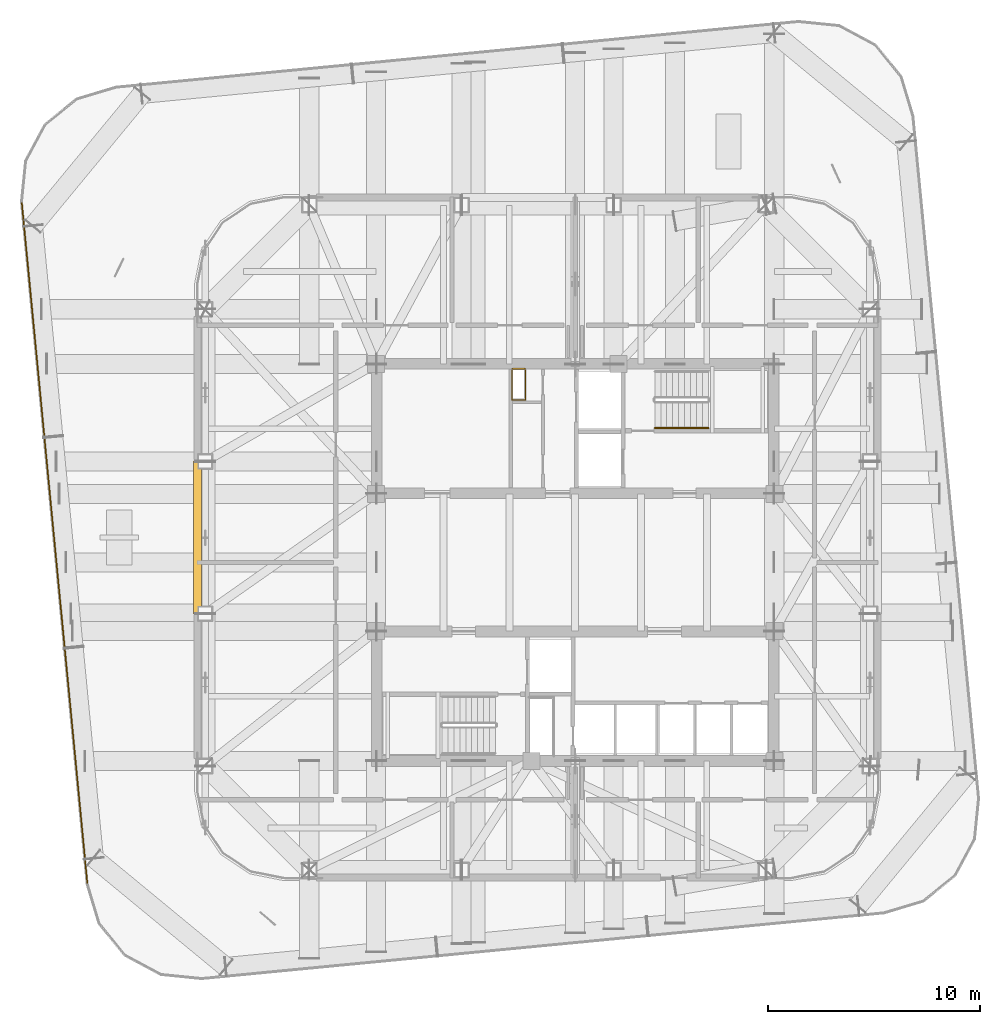
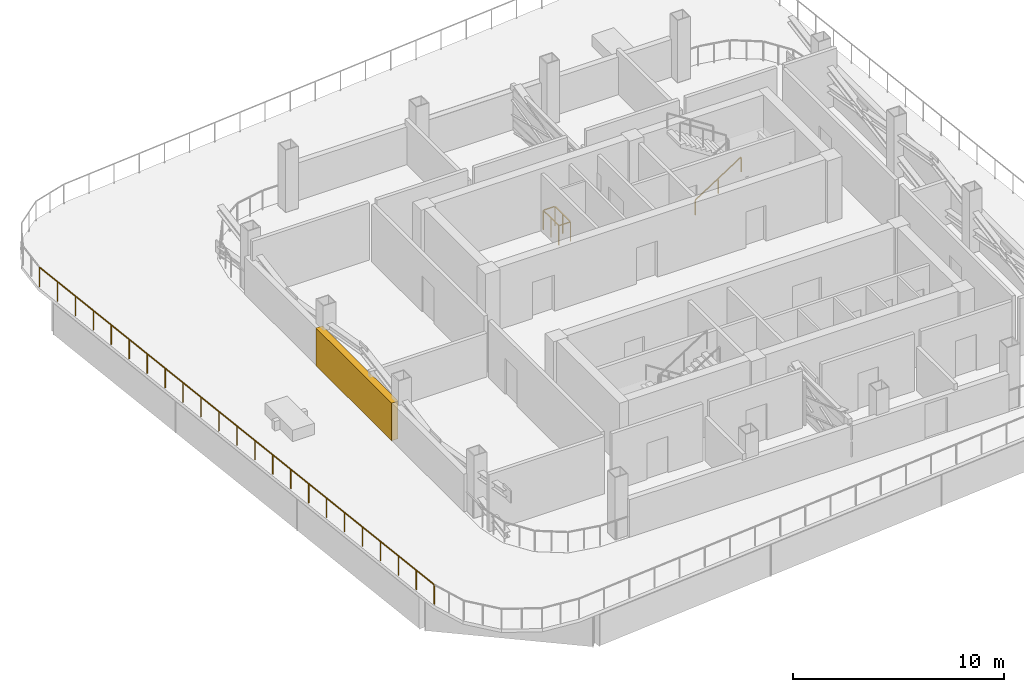
# One storey, part 10 of 12: 3 railings, 1 shading device.
"""IFC4 building model written with IfcOpenShell, lengths in metres."""

import ifcopenshell
import ifcopenshell.guid

model = None  # the IFC model being written
_history = None  # IfcOwnerHistory: only IFC2X3 demands one
_inside = {}  # id of a spatial element -> (the spatial element, [elements in it])
_under = {}  # id of a project, library or spatial element -> (it, [spatial elements below it])
_declared = {}  # id of a project -> (the project, [libraries it declares])
_typed = {}  # id of a type object -> (the type object, [elements of that type])
_made_of = {}  # id of a material, layer set ... -> (it, [elements and type objects made of it])


def new_model(schema):
    """Start an empty IFC model of exactly this schema.

    Asked for "IFC4X3", IfcOpenShell would pick the latest addendum, in which some entities
    have other attributes; the version numbers below select the first issue.
    IFC2X3 requires an IfcOwnerHistory on every rooted entity: one is made here for all.
    """
    global model, _history
    if schema == "IFC4X3":
        model = ifcopenshell.file(schema_version=(4, 3, 0, 0))
    else:
        model = ifcopenshell.file(schema=schema)
    _inside.clear()
    _under.clear()
    _declared.clear()
    _typed.clear()
    _made_of.clear()
    _history = None
    if model.schema == "IFC2X3":
        org = make("IfcOrganization", Name="unknown")
        user = make(
            "IfcPersonAndOrganization",
            ThePerson=make("IfcPerson", FamilyName="unknown"),
            TheOrganization=org,
        )
        app = make(
            "IfcApplication",
            ApplicationDeveloper=org,
            Version="unknown",
            ApplicationFullName="unknown",
            ApplicationIdentifier="unknown",
        )
        _history = make(
            "IfcOwnerHistory",
            OwningUser=user,
            OwningApplication=app,
            ChangeAction="ADDED",
            CreationDate=0,
        )
    return model


def make(cls, **values):
    """One entity of the class cls with the attributes given. An attribute that is None is left unset."""
    return model.create_entity(
        cls, **{name: value for name, value in values.items() if value is not None}
    )


def rooted(cls, **values):
    """An entity with a GlobalId (a new one), such as an element, a storey or a relation."""
    return make(cls, GlobalId=ifcopenshell.guid.new(), OwnerHistory=_history, **values)


def si_unit(unit_type, name, prefix=None):
    """IfcSIUnit, for example si_unit("LENGTHUNIT", "METRE", prefix="MILLI")."""
    return make("IfcSIUnit", UnitType=unit_type, Prefix=prefix, Name=name)


def assignment(units):
    """IfcUnitAssignment: the units of a project."""
    return None if units is None else make("IfcUnitAssignment", Units=units)


def point(xyz):
    """IfcCartesianPoint."""
    return None if xyz is None else make("IfcCartesianPoint", Coordinates=xyz)


def direction(xyz):
    """IfcDirection."""
    return None if xyz is None else make("IfcDirection", DirectionRatios=xyz)


def frame(location, z_axis=None, x_axis=None):
    """IfcAxis2Placement3D, a coordinate frame: its origin and axes. An axis left out is left unset."""
    return make(
        "IfcAxis2Placement3D",
        Location=point(location),
        Axis=direction(z_axis),
        RefDirection=direction(x_axis),
    )


def frame_2d(location, x_axis=None):
    """IfcAxis2Placement2D, a coordinate frame in the plane: its origin and x axis."""
    return make(
        "IfcAxis2Placement2D", Location=point(location), RefDirection=direction(x_axis)
    )


def origin():
    """The frame at (0, 0, 0) with its axes left unset."""
    return frame((0.0, 0.0, 0.0))


def origin_2d():
    """The frame at (0, 0) in the plane with its x axis left unset."""
    return frame_2d((0.0, 0.0))


def place(relative_to, where):
    """IfcLocalPlacement: puts the frame where relative to a parent placement (None: the world)."""
    return make(
        "IfcLocalPlacement", PlacementRelTo=relative_to, RelativePlacement=where
    )


def context(
    kind, dimensions, precision=None, world=None, true_north=None, identifier=None
):
    """IfcGeometricRepresentationContext, for example the 3D "Model" context."""
    return make(
        "IfcGeometricRepresentationContext",
        ContextIdentifier=identifier,
        ContextType=kind,
        CoordinateSpaceDimension=dimensions,
        Precision=precision,
        WorldCoordinateSystem=world,
        TrueNorth=true_north,
    )


def subcontext(parent, identifier, kind, view, scale=None):
    """IfcGeometricRepresentationSubContext, for example "Body" below "Model"."""
    return make(
        "IfcGeometricRepresentationSubContext",
        ContextIdentifier=identifier,
        ContextType=kind,
        ParentContext=parent,
        TargetScale=scale,
        TargetView=view,
    )


def project(units=None, contexts=None):
    """IfcProject with its units and contexts."""
    return rooted(
        "IfcProject",
        Name="project",
        RepresentationContexts=contexts,
        UnitsInContext=assignment(units),
    )


def spatial(cls, under=None, at=None, **own):
    """A site, building, storey or space (cls), placed at a placement, below another one or the project."""
    s = rooted(cls, ObjectPlacement=at, **own)
    if under is not None:
        _under.setdefault(under.id(), (under, []))[1].append(s)
    return s


def profile(cls, at=None, kind="AREA", **sizes):
    """A parametric profile (cls). Its sizes go by their IFC names, for example OverallWidth=200.0."""
    return make(cls, ProfileType=kind, Position=at, **sizes)


def rectangle(**sizes):
    """IfcRectangleProfileDef."""
    return profile("IfcRectangleProfileDef", **sizes)


def extrude(swept, where, along, depth):
    """IfcExtrudedAreaSolid: the profile swept, set in the frame where, extruded along a direction by depth."""
    return make(
        "IfcExtrudedAreaSolid",
        SweptArea=swept,
        Position=where,
        ExtrudedDirection=direction(along),
        Depth=depth,
    )


def shape(context_of_items, identifier, shape_type, items):
    """IfcShapeRepresentation: the items that make up one representation, for example the "Body"."""
    return make(
        "IfcShapeRepresentation",
        ContextOfItems=context_of_items,
        RepresentationIdentifier=identifier,
        RepresentationType=shape_type,
        Items=items,
    )


def material(Name=None, Category=None):
    """IfcMaterial."""
    return make("IfcMaterial", Name=Name, Category=Category)


def made_of(thing, what):
    """Note that an element or type object is made of a material, layer set ...; save() writes the relation."""
    if what is not None:
        _made_of.setdefault(what.id(), (what, []))[1].append(thing)
    return thing


def type_object(cls, material=None, **own):
    """A type object (cls), such as IfcWallType, which elements share."""
    return made_of(rooted(cls, **own), material)


def element(
    cls,
    number,
    at=None,
    inside=None,
    cuts=None,
    type_object=None,
    material=None,
    context=None,
    identifier="Body",
    shape_type=None,
    held_by="IfcProductDefinitionShape",
    body=None,
    shapes=None,
    **own,
):
    """One element of the class cls, such as IfcWall. Its Tag is "e" and its number.

    at: its placement. inside: the storey or other place that contains it. cuts: it is an
    opening in that element (IfcRelVoidsElement). A single representation is given by context,
    identifier, shape_type and body (its items); several are given by shapes. held_by: the class
    of the entity that holds the representations. save() writes the other relations.
    """
    e = rooted(cls, Tag="e%d" % number, ObjectPlacement=at, **own)
    if body is not None:
        shapes = [shape(context, identifier, shape_type, body)]
    if shapes is not None:
        e.Representation = make(held_by, Representations=shapes)
    if inside is not None:
        _inside.setdefault(inside.id(), (inside, []))[1].append(e)
    if cuts is not None:
        rooted(
            "IfcRelVoidsElement", RelatingBuildingElement=cuts, RelatedOpeningElement=e
        )
    if type_object is not None:
        _typed.setdefault(type_object.id(), (type_object, []))[1].append(e)
    return made_of(e, material)


def aggregate(whole, parts):
    """IfcRelAggregates: a whole, such as a stair, and the parts it consists of."""
    return rooted("IfcRelAggregates", RelatingObject=whole, RelatedObjects=parts)


def save(model, path):
    """Write the relations noted so far, then the file.

    IfcRelAggregates (storeys below a building ...), IfcRelContainedInSpatialStructure (elements
    in a storey), IfcRelDefinesByType, IfcRelAssociatesMaterial and IfcRelDeclares: one each for
    every whole, place, type object, material and project.
    """
    for whole, parts in _under.values():
        aggregate(whole, parts)
    for where, things in _inside.values():
        rooted(
            "IfcRelContainedInSpatialStructure",
            RelatedElements=things,
            RelatingStructure=where,
        )
    for kind, things in _typed.values():
        rooted("IfcRelDefinesByType", RelatedObjects=things, RelatingType=kind)
    for what, things in _made_of.values():
        rooted("IfcRelAssociatesMaterial", RelatedObjects=things, RelatingMaterial=what)
    for by, libraries in _declared.values():
        rooted("IfcRelDeclares", RelatingContext=by, RelatedDefinitions=libraries)
    model.write(path)


model = new_model("IFC4")

# Units and contexts
model_context = context("Model", 3, precision=1e-05, world=origin(), true_north=direction((0.0, 1.0)))
body_context = subcontext(model_context, "Body", "Model", "MODEL_VIEW")
ifc_project = project(units=[si_unit("LENGTHUNIT", "METRE"), si_unit("AREAUNIT", "SQUARE_METRE"), si_unit("VOLUMEUNIT", "CUBIC_METRE"), si_unit("PLANEANGLEUNIT", "RADIAN"), si_unit("MASSUNIT", "GRAM", prefix="KILO")], contexts=[model_context])

# Site, building, storey
site_placement = place(None, origin())
site = spatial("IfcSite", under=ifc_project, at=site_placement, CompositionType="ELEMENT")
building_placement = place(site_placement, origin())
building = spatial("IfcBuilding", under=site, at=building_placement, Name="Qhalaya Broadcast Tower", CompositionType="ELEMENT")
storey_placement = place(building_placement, frame((0.0, 0.0, 187.949951171875)))
storey = spatial("IfcBuildingStorey", under=building, at=storey_placement, Name="L55", CompositionType="ELEMENT", Elevation=187.949951171875)

# Shading device
ifc_material_1 = material(Name="Fired Architectural Terracotta", Category="masonry")
shading_device_type = type_object("IfcShadingDeviceType", Name="Plant & Turbine-Slot Acoustic Louvre Screen LVS-01", PredefinedType="USERDEFINED", material=ifc_material_1)
shading_device_placement = place(storey_placement, frame((-17.780029296875, 1.77001953125, 0.0), z_axis=(0.0, 0.0, 1.0), x_axis=(0.0, 1.0, 0.0)))
element("IfcShadingDevice", 1, at=shading_device_placement, inside=storey, type_object=shading_device_type, Name="L55 Plant Acoustic Louvre Screen W", ObjectType="LOUVRE", PredefinedType="USERDEFINED", context=body_context, shape_type="SweptSolid", body=[
    extrude(rectangle(XDim=7.199951171875, YDim=0.360107421875, at=origin_2d()), origin(), (0.0, 0.0, 1.0), 2.181884765625),
])

# Railings
ifc_material_2 = material(Name="Powder-Coated Galvanised Steel", Category="steel")
railing_type_1 = type_object("IfcRailingType", Name="Stair Wall Handrail 900", PredefinedType="HANDRAIL", material=ifc_material_2)
railing_1_placement = place(storey_placement, frame((3.75, 6.929931640625, 0.179931640625)))
element("IfcRailing", 2, at=railing_1_placement, inside=storey, type_object=railing_type_1, Name="L55 ST-1 Stair Handrail 1", PredefinedType="HANDRAIL", context=body_context, shape_type="SweptSolid", body=[
    extrude(rectangle(XDim=0.048095703125, YDim=0.048095703125, at=origin_2d()), frame((0.0, 0.0, 0.8759765625), z_axis=(0.841162588446, 0.0, 0.540782303519), x_axis=(0.0, 1.0, 0.0)), (0.0, 0.0, 1.0), 2.995849609375),
    extrude(rectangle(XDim=0.0419921875, YDim=0.0419921875, at=origin_2d()), origin(), (0.0, 0.0, 1.0), 0.849853515625),
    extrude(rectangle(XDim=0.0419921875, YDim=0.0419921875, at=origin_2d()), frame((1.260009765625, 0.0, 0.81005859375)), (0.0, 0.0, 1.0), 0.849853515625),
    extrude(rectangle(XDim=0.0419921875, YDim=0.0419921875, at=origin_2d()), frame((2.52001953125, 0.0, 1.6201171875)), (0.0, 0.0, 1.0), 0.849853515625),
])
railing_type_2 = type_object("IfcRailingType", Name="Stair Well & Landing Guardrail 1100", PredefinedType="GUARDRAIL", material=ifc_material_2)
railing_2_placement = place(storey_placement, frame((-2.340087890625, 8.239990234375, 0.0)))
element("IfcRailing", 3, at=railing_2_placement, inside=storey, type_object=railing_type_2, Name="L55 Service Riser Opening Safety Guard NRSR", PredefinedType="GUARDRAIL", context=body_context, shape_type="SweptSolid", body=[
    extrude(rectangle(XDim=0.048095703125, YDim=0.048095703125, at=origin_2d()), frame((0.0, 0.02880859375, 1.1259765625), z_axis=(0.0, 1.0, 0.0), x_axis=(-1.0, 0.0, 0.0)), (0.0, 0.0, 1.0), 1.42236328125),
    extrude(rectangle(XDim=0.048095703125, YDim=0.048095703125, at=origin_2d()), frame((-0.02880859375, 1.47998046875, 1.1259765625), z_axis=(-1.0, 0.0, 0.0), x_axis=(0.0, -1.0, 0.0)), (0.0, 0.0, 1.0), 0.582275390625),
    extrude(rectangle(XDim=0.048095703125, YDim=0.048095703125, at=origin_2d()), frame((-0.639892578125, 1.451171875, 1.1259765625), z_axis=(0.0, -1.0, 0.0), x_axis=(1.0, 0.0, 0.0)), (0.0, 0.0, 1.0), 1.42236328125),
    extrude(rectangle(XDim=0.048095703125, YDim=0.048095703125, at=origin_2d()), frame((-0.611083984375, 0.0, 1.1259765625), z_axis=(1.0, 0.0, 0.0), x_axis=(0.0, 1.0, 0.0)), (0.0, 0.0, 1.0), 0.582275390625),
    extrude(rectangle(XDim=0.0419921875, YDim=0.0419921875, at=origin_2d()), origin(), (0.0, 0.0, 1.0), 1.099853515625),
    extrude(rectangle(XDim=0.0419921875, YDim=0.0419921875, at=origin_2d()), frame((0.0, 0.739990234375, 0.0)), (0.0, 0.0, 1.0), 1.099853515625),
    extrude(rectangle(XDim=0.0419921875, YDim=0.0419921875, at=origin_2d()), frame((0.0, 1.47998046875, 0.0)), (0.0, 0.0, 1.0), 1.099853515625),
    extrude(rectangle(XDim=0.0419921875, YDim=0.0419921875, at=origin_2d()), frame((-0.639892578125, 1.47998046875, 0.0)), (0.0, 0.0, 1.0), 1.099853515625),
    extrude(rectangle(XDim=0.0419921875, YDim=0.0419921875, at=origin_2d()), frame((-0.639892578125, 0.739990234375, 0.0)), (0.0, 0.0, 1.0), 1.099853515625),
    extrude(rectangle(XDim=0.0419921875, YDim=0.0419921875, at=origin_2d()), frame((-0.639892578125, 0.0, 0.0)), (0.0, 0.0, 1.0), 1.099853515625),
])
railing_type_3 = type_object("IfcRailingType", Name="Terrace, Sky-Pool & Lookout Glass Balustrade 1150", PredefinedType="BALUSTRADE", material=ifc_material_2)
railing_3_placement = place(storey_placement, frame((-22.9658203125, -14.54736328125, 0.0)))
element("IfcRailing", 4, at=railing_3_placement, inside=storey, type_object=railing_type_3, Name="L55 Perimeter Safety Balustrade BAL-TER1-06", PredefinedType="BALUSTRADE", context=body_context, shape_type="SweptSolid", body=[
    extrude(rectangle(XDim=0.048095703125, YDim=0.048095703125, at=origin_2d()), frame((0.0, 0.0, 1.1259765625), z_axis=(-0.095843243685, 0.995396439937, 0.0), x_axis=(-0.995396439937, -0.095843243685, 0.0)), (0.0, 0.0, 1.0), 32.284423828125),
    extrude(rectangle(XDim=0.0419921875, YDim=0.0419921875, at=origin_2d()), origin(), (0.0, 0.0, 1.0), 1.099853515625),
    extrude(rectangle(XDim=0.0419921875, YDim=0.0419921875, at=origin_2d()), frame((-0.140625, 1.460693359375, 0.0)), (0.0, 0.0, 1.0), 1.099853515625),
    extrude(rectangle(XDim=0.0419921875, YDim=0.0419921875, at=origin_2d()), frame((-0.28125, 2.92138671875, 0.0)), (0.0, 0.0, 1.0), 1.099853515625),
    extrude(rectangle(XDim=0.0419921875, YDim=0.0419921875, at=origin_2d()), frame((-0.421875, 4.382080078125, 0.0)), (0.0, 0.0, 1.0), 1.099853515625),
    extrude(rectangle(XDim=0.0419921875, YDim=0.0419921875, at=origin_2d()), frame((-0.5625, 5.8427734375, 0.0)), (0.0, 0.0, 1.0), 1.099853515625),
    extrude(rectangle(XDim=0.0419921875, YDim=0.0419921875, at=origin_2d()), frame((-0.703125, 7.303466796875, 0.0)), (0.0, 0.0, 1.0), 1.099853515625),
    extrude(rectangle(XDim=0.0419921875, YDim=0.0419921875, at=origin_2d()), frame((-0.843994140625, 8.764404296875, 0.0)), (0.0, 0.0, 1.0), 1.099853515625),
    extrude(rectangle(XDim=0.0419921875, YDim=0.0419921875, at=origin_2d()), frame((-0.984619140625, 10.22509765625, 0.0)), (0.0, 0.0, 1.0), 1.099853515625),
    extrude(rectangle(XDim=0.0419921875, YDim=0.0419921875, at=origin_2d()), frame((-1.125244140625, 11.685791015625, 0.0)), (0.0, 0.0, 1.0), 1.099853515625),
    extrude(rectangle(XDim=0.0419921875, YDim=0.0419921875, at=origin_2d()), frame((-1.265869140625, 13.146484375, 0.0)), (0.0, 0.0, 1.0), 1.099853515625),
    extrude(rectangle(XDim=0.0419921875, YDim=0.0419921875, at=origin_2d()), frame((-1.406494140625, 14.607177734375, 0.0)), (0.0, 0.0, 1.0), 1.099853515625),
    extrude(rectangle(XDim=0.0419921875, YDim=0.0419921875, at=origin_2d()), frame((-1.547119140625, 16.06787109375, 0.0)), (0.0, 0.0, 1.0), 1.099853515625),
    extrude(rectangle(XDim=0.0419921875, YDim=0.0419921875, at=origin_2d()), frame((-1.687744140625, 17.528564453125, 0.0)), (0.0, 0.0, 1.0), 1.099853515625),
    extrude(rectangle(XDim=0.0419921875, YDim=0.0419921875, at=origin_2d()), frame((-1.828369140625, 18.9892578125, 0.0)), (0.0, 0.0, 1.0), 1.099853515625),
    extrude(rectangle(XDim=0.0419921875, YDim=0.0419921875, at=origin_2d()), frame((-1.968994140625, 20.449951171875, 0.0)), (0.0, 0.0, 1.0), 1.099853515625),
    extrude(rectangle(XDim=0.0419921875, YDim=0.0419921875, at=origin_2d()), frame((-2.109619140625, 21.91064453125, 0.0)), (0.0, 0.0, 1.0), 1.099853515625),
    extrude(rectangle(XDim=0.0419921875, YDim=0.0419921875, at=origin_2d()), frame((-2.250244140625, 23.371337890625, 0.0)), (0.0, 0.0, 1.0), 1.099853515625),
    extrude(rectangle(XDim=0.0419921875, YDim=0.0419921875, at=origin_2d()), frame((-2.39111328125, 24.832275390625, 0.0)), (0.0, 0.0, 1.0), 1.099853515625),
    extrude(rectangle(XDim=0.0419921875, YDim=0.0419921875, at=origin_2d()), frame((-2.53173828125, 26.29296875, 0.0)), (0.0, 0.0, 1.0), 1.099853515625),
    extrude(rectangle(XDim=0.0419921875, YDim=0.0419921875, at=origin_2d()), frame((-2.67236328125, 27.753662109375, 0.0)), (0.0, 0.0, 1.0), 1.099853515625),
    extrude(rectangle(XDim=0.0419921875, YDim=0.0419921875, at=origin_2d()), frame((-2.81298828125, 29.21435546875, 0.0)), (0.0, 0.0, 1.0), 1.099853515625),
    extrude(rectangle(XDim=0.0419921875, YDim=0.0419921875, at=origin_2d()), frame((-2.95361328125, 30.675048828125, 0.0)), (0.0, 0.0, 1.0), 1.099853515625),
    extrude(rectangle(XDim=0.0419921875, YDim=0.0419921875, at=origin_2d()), frame((-3.09423828125, 32.1357421875, 0.0)), (0.0, 0.0, 1.0), 1.099853515625),
])

save(model, "model.ifc")
